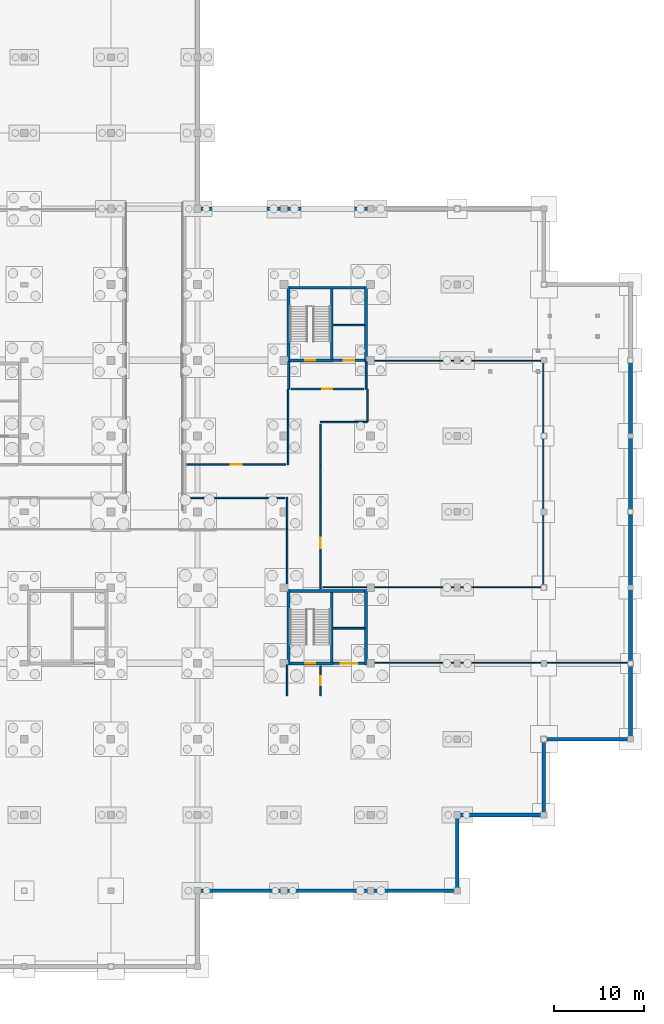
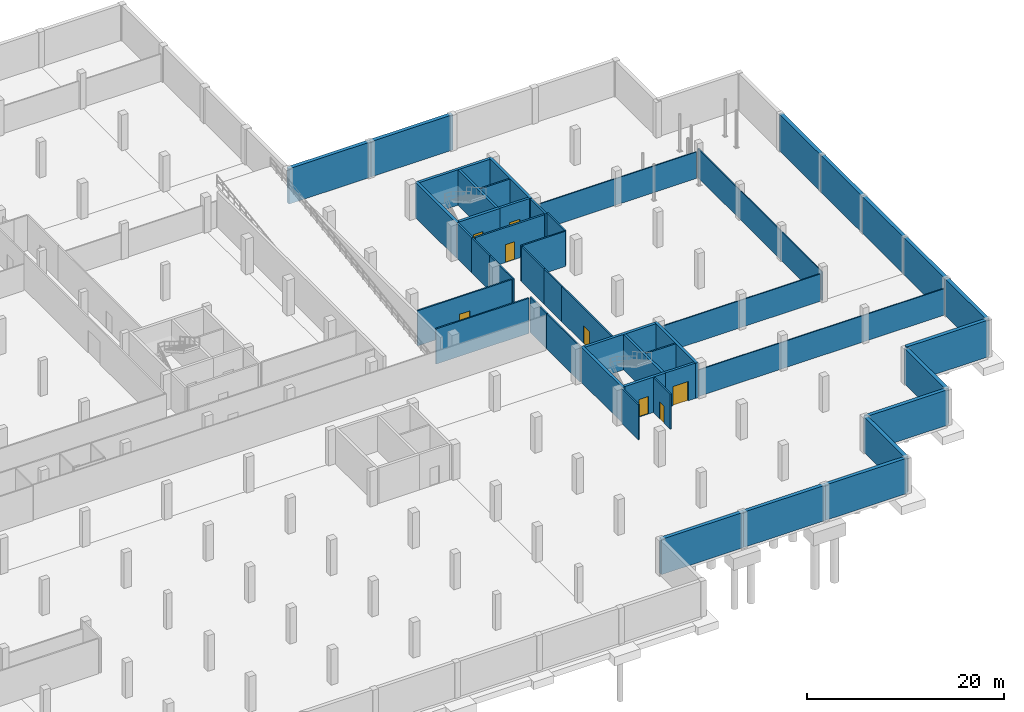
# One storey, part 23 of 26: 48 walls, 8 doors, 8 openings.
"""IFC4 building model written with IfcOpenShell, lengths in metres."""

from ifc_helpers import new_model, si_unit, direction, frame, frame_2d, origin, place, context, subcontext, project, spatial, rectangle, extrude, material, layer, layer_set, type_object, element, fill, save


model = new_model("IFC4")

# Units and contexts
model_context = context("Model", 3, precision=1e-05, world=origin(), true_north=direction((0.0, 1.0)))
body_context = subcontext(model_context, "Body", "Model", "MODEL_VIEW")
ifc_project = project(units=[si_unit("LENGTHUNIT", "METRE"), si_unit("AREAUNIT", "SQUARE_METRE"), si_unit("VOLUMEUNIT", "CUBIC_METRE"), si_unit("PLANEANGLEUNIT", "RADIAN"), si_unit("MASSUNIT", "GRAM", prefix="KILO")], contexts=[model_context])

# Site, building, storey
site_placement = place(None, origin())
site = spatial("IfcSite", under=ifc_project, at=site_placement, CompositionType="ELEMENT")
building_placement = place(site_placement, origin())
building = spatial("IfcBuilding", under=site, at=building_placement, Name="Lornevale Opera House", CompositionType="ELEMENT")
storey_placement = place(building_placement, frame((0.0, 0.0, -9.60009765625)))
storey = spatial("IfcBuildingStorey", under=building, at=storey_placement, Name="B2", CompositionType="ELEMENT", Elevation=-9.60009765625)

# Walls
ifc_material_1 = material(Name="Concrete 40 MPa (CSA A23.1 C-1)", Category="concrete")
ifc_layer_1 = layer(ifc_material_1, 0.419921875)
ifc_layer_set_1 = layer_set([ifc_layer_1], Name="Concrete 40 MPa (CSA A23.1 C-1)")
wall_type_1 = type_object("IfcWallType", Name="Basement Retaining Wall 420", PredefinedType="USERDEFINED", material=ifc_layer_set_1)
for number, where, z_axis, x_axis, name in (
    (1, (134.39990234375, 8.39990234375, 0.0), (0.0, 0.0, 1.0), (-1.0, 0.0, 0.0), "Basement Escarpment Plinth Wall WL-EXT-0046"),
    (2, (124.800048828125, 84.0, 0.0), (0.0, 0.0, 1.0), (1.0, 0.0, 0.0), "Basement Escarpment Plinth Wall WL-EXT-0047"),
):
    element("IfcWall", number, at=place(storey_placement, frame(where, z_axis=z_axis, x_axis=x_axis)), inside=storey, type_object=wall_type_1, Name=name, ObjectType="RETAINING WALL", PredefinedType="USERDEFINED", context=body_context, shape_type="SweptSolid", body=[
        extrude(rectangle(XDim=9.599853515625, YDim=0.419921875, at=frame_2d((4.7998046875, 0.0))), origin(), (0.0, 0.0, 1.0), 4.380126953125),
    ])
for number, where, z_axis, x_axis, name in (
    (3, (144.0, 8.39990234375, 0.0), (0.0, 0.0, 1.0), (-1.0, 0.0, 0.0), "Basement Escarpment Plinth Wall WL-EXT-0048"),
    (4, (134.39990234375, 84.0, 0.0), (0.0, 0.0, 1.0), (1.0, 0.0, 0.0), "Basement Escarpment Plinth Wall WL-EXT-0049"),
    (5, (153.60009765625, 8.39990234375, 0.0), (0.0, 0.0, 1.0), (-1.0, 0.0, 0.0), "Basement Escarpment Plinth Wall WL-EXT-0050"),
):
    element("IfcWall", number, at=place(storey_placement, frame(where, z_axis=z_axis, x_axis=x_axis)), inside=storey, type_object=wall_type_1, Name=name, ObjectType="RETAINING WALL", PredefinedType="USERDEFINED", context=body_context, shape_type="SweptSolid", body=[
        extrude(rectangle(XDim=9.60009765625, YDim=0.419921875, at=frame_2d((4.800048828125, 0.0))), origin(), (0.0, 0.0, 1.0), 4.380126953125),
    ])
wall_1_placement = place(storey_placement, frame((153.60009765625, 16.800048828125, 0.0), z_axis=(0.0, 0.0, 1.0), x_axis=(0.0, -1.0, 0.0)))
element("IfcWall", 6, at=wall_1_placement, inside=storey, type_object=wall_type_1, Name="Basement Escarpment Plinth Wall WL-EXT-0051", ObjectType="RETAINING WALL", PredefinedType="USERDEFINED", context=body_context, shape_type="SweptSolid", body=[
    extrude(rectangle(XDim=8.400146484375, YDim=0.419921875, at=frame_2d((4.2001953125, 0.0))), origin(), (0.0, 0.0, 1.0), 4.380126953125),
])
wall_2_placement = place(storey_placement, frame((163.199951171875, 16.800048828125, 0.0), z_axis=(0.0, 0.0, 1.0), x_axis=(-1.0, 0.0, 0.0)))
element("IfcWall", 7, at=wall_2_placement, inside=storey, type_object=wall_type_1, Name="Basement Escarpment Plinth Wall WL-EXT-0053", ObjectType="RETAINING WALL", PredefinedType="USERDEFINED", context=body_context, shape_type="SweptSolid", body=[
    extrude(rectangle(XDim=9.599853515625, YDim=0.419921875, at=frame_2d((4.7998046875, 0.0))), origin(), (0.0, 0.0, 1.0), 4.380126953125),
])
wall_3_placement = place(storey_placement, frame((163.199951171875, 25.199951171875, 0.0), z_axis=(0.0, 0.0, 1.0), x_axis=(0.0, -1.0, 0.0)))
element("IfcWall", 8, at=wall_3_placement, inside=storey, type_object=wall_type_1, Name="Basement Escarpment Plinth Wall WL-EXT-0054", ObjectType="RETAINING WALL", PredefinedType="USERDEFINED", context=body_context, shape_type="SweptSolid", body=[
    extrude(rectangle(XDim=8.39990234375, YDim=0.419921875, at=frame_2d((4.199951171875, 0.0))), origin(), (0.0, 0.0, 1.0), 4.380126953125),
])
wall_4_placement = place(storey_placement, frame((172.800048828125, 25.199951171875, 0.0), z_axis=(0.0, 0.0, 1.0), x_axis=(-1.0, 0.0, 0.0)))
element("IfcWall", 9, at=wall_4_placement, inside=storey, type_object=wall_type_1, Name="Basement Escarpment Plinth Wall WL-EXT-0057", ObjectType="RETAINING WALL", PredefinedType="USERDEFINED", context=body_context, shape_type="SweptSolid", body=[
    extrude(rectangle(XDim=9.60009765625, YDim=0.419921875, at=frame_2d((4.800048828125, 0.0))), origin(), (0.0, 0.0, 1.0), 4.550048828125),
])
wall_5_placement = place(storey_placement, frame((172.800048828125, 33.60009765625, 0.0), z_axis=(0.0, 0.0, 1.0), x_axis=(0.0, -1.0, 0.0)))
element("IfcWall", 10, at=wall_5_placement, inside=storey, type_object=wall_type_1, Name="Basement Escarpment Plinth Wall WL-EXT-0058", ObjectType="RETAINING WALL", PredefinedType="USERDEFINED", context=body_context, shape_type="SweptSolid", body=[
    extrude(rectangle(XDim=8.400146484375, YDim=0.419921875, at=frame_2d((4.2001953125, 0.0))), origin(), (0.0, 0.0, 1.0), 4.550048828125),
])
for number, where, z_axis, x_axis, name in (
    (11, (172.800048828125, 42.0, 0.0), (0.0, 0.0, 1.0), (0.0, -1.0, 0.0), "Basement Escarpment Plinth Wall WL-EXT-0059"),
    (12, (172.800048828125, 50.39990234375, 0.0), (0.0, 0.0, 1.0), (0.0, -1.0, 0.0), "Basement Escarpment Plinth Wall WL-EXT-0060"),
):
    element("IfcWall", number, at=place(storey_placement, frame(where, z_axis=z_axis, x_axis=x_axis)), inside=storey, type_object=wall_type_1, Name=name, ObjectType="RETAINING WALL", PredefinedType="USERDEFINED", context=body_context, shape_type="SweptSolid", body=[
        extrude(rectangle(XDim=8.39990234375, YDim=0.419921875, at=frame_2d((4.199951171875, 0.0))), origin(), (0.0, 0.0, 1.0), 4.550048828125),
    ])
wall_6_placement = place(storey_placement, frame((172.800048828125, 58.800048828125, 0.0), z_axis=(0.0, 0.0, 1.0), x_axis=(0.0, -1.0, 0.0)))
element("IfcWall", 13, at=wall_6_placement, inside=storey, type_object=wall_type_1, Name="Basement Escarpment Plinth Wall WL-EXT-0061", ObjectType="RETAINING WALL", PredefinedType="USERDEFINED", context=body_context, shape_type="SweptSolid", body=[
    extrude(rectangle(XDim=8.400146484375, YDim=0.419921875, at=frame_2d((4.2001953125, 0.0))), origin(), (0.0, 0.0, 1.0), 4.550048828125),
])
wall_7_placement = place(storey_placement, frame((172.800048828125, 67.199951171875, 0.0), z_axis=(0.0, 0.0, 1.0), x_axis=(0.0, -1.0, 0.0)))
element("IfcWall", 14, at=wall_7_placement, inside=storey, type_object=wall_type_1, Name="Basement Escarpment Plinth Wall WL-EXT-0062", ObjectType="RETAINING WALL", PredefinedType="USERDEFINED", context=body_context, shape_type="SweptSolid", body=[
    extrude(rectangle(XDim=8.39990234375, YDim=0.419921875, at=frame_2d((4.199951171875, 0.0))), origin(), (0.0, 0.0, 1.0), 4.550048828125),
])

# Wall, opening, door
ifc_layer_2 = layer(ifc_material_1, 0.320068359375)
ifc_layer_set_2 = layer_set([ifc_layer_2], Name="Concrete 40 MPa (CSA A23.1 C-1)")
wall_type_2 = type_object("IfcWallType", Name="Core Shear Wall 320", PredefinedType="SHEAR", material=ifc_layer_set_2)
wall_8_placement = place(storey_placement, frame((135.06005859375, 67.199951171875, 0.0), z_axis=(0.0, 0.0, 1.0), x_axis=(1.0, 0.0, 0.0)))
wall_8 = element("IfcWall", 15, at=wall_8_placement, inside=storey, type_object=wall_type_2, Name="Backstage Firefighter Core East Core Shear Wall 320 WL-COR-0261", PredefinedType="SHEAR", context=body_context, shape_type="SweptSolid", body=[
    extrude(rectangle(XDim=4.780029296875, YDim=0.320068359375, at=frame_2d((2.39013671875, 0.0))), origin(), (0.0, 0.0, 1.0), 4.380126953125),
])
opening_1_placement = place(wall_8_placement, frame((1.68994140625, 0.0, 0.0)))
opening_1 = element("IfcOpeningElement", 16, at=opening_1_placement, cuts=wall_8, Name="Opening DR-T10", PredefinedType="OPENING", context=body_context, shape_type="SweptSolid", body=[
    extrude(rectangle(XDim=1.10009765625, YDim=2.199951171875, at=frame_2d((0.550048828125, 1.10009765625))), frame((0.0, 0.169921875, 0.0), z_axis=(0.0, -1.0, 0.0), x_axis=(1.0, 0.0, 0.0)), (0.0, 0.0, 1.0), 0.340087890625),
])
ifc_material_2 = material(Name="Painted Hollow Metal Door Steel", Category="steel")
ifc_layer_3 = layer(ifc_material_2, 2.199951171875)
ifc_layer_set_3 = layer_set([ifc_layer_3], Name="Painted Hollow Metal Door Steel")
door_type_1 = type_object("IfcDoorType", Name="Protected Exit Stair Door L 1100x2200", OperationType="NOTDEFINED", PredefinedType="DOOR", material=ifc_layer_set_3)
door_1_placement = place(opening_1_placement, origin())
door_1 = element("IfcDoor", 17, at=door_1_placement, inside=storey, type_object=door_type_1, Name="C7 Stair Door B2", OperationType="SINGLE_SWING_LEFT", OverallHeight=2.199951171875, OverallWidth=1.10009765625, PredefinedType="DOOR", context=body_context, shape_type="SweptSolid", body=[
    extrude(rectangle(XDim=1.10009765625, YDim=2.199951171875, at=frame_2d((0.550048828125, 1.10009765625))), frame((0.0, 0.02490234375, 0.0), z_axis=(0.0, -1.0, 0.0), x_axis=(1.0, 0.0, 0.0)), (0.0, 0.0, 1.0), 0.050048828125),
])
fill(opening_1, door_1)

# Walls
wall_9_placement = place(storey_placement, frame((143.340087890625, 75.239990234375, 0.0), z_axis=(0.0, 0.0, 1.0), x_axis=(-1.0, 0.0, 0.0)))
element("IfcWall", 18, at=wall_9_placement, inside=storey, type_object=wall_type_2, Name="Backstage Firefighter Core East Core Shear Wall 320 WL-COR-0263", PredefinedType="SHEAR", context=body_context, shape_type="SweptSolid", body=[
    extrude(rectangle(XDim=8.280029296875, YDim=0.320068359375, at=frame_2d((4.14013671875, 0.0))), origin(), (0.0, 0.0, 1.0), 4.380126953125),
])
for number, where, z_axis, x_axis, name in (
    (19, (134.89990234375, 75.39990234375, 0.0), (0.0, 0.0, 1.0), (0.0, -1.0, 0.0), "Backstage Firefighter Core East Core Shear Wall 320 WL-COR-0264"),
    (20, (143.5, 67.0400390625, 0.0), (0.0, 0.0, 1.0), (0.0, 1.0, 0.0), "Backstage Firefighter Core East Core Shear Wall 320 WL-COR-0265"),
):
    element("IfcWall", number, at=place(storey_placement, frame(where, z_axis=z_axis, x_axis=x_axis)), inside=storey, type_object=wall_type_2, Name=name, PredefinedType="SHEAR", context=body_context, shape_type="SweptSolid", body=[
        extrude(rectangle(XDim=8.35986328125, YDim=0.320068359375, at=frame_2d((4.179931640625, 0.0))), origin(), (0.0, 0.0, 1.0), 4.380126953125),
    ])

# Wall, opening, door
wall_10_placement = place(storey_placement, frame((135.06005859375, 33.60009765625, 0.0), z_axis=(0.0, 0.0, 1.0), x_axis=(1.0, 0.0, 0.0)))
wall_10 = element("IfcWall", 21, at=wall_10_placement, inside=storey, type_object=wall_type_2, Name="Backstage Service Lift Core Core Shear Wall 320 WL-COR-0317", PredefinedType="SHEAR", context=body_context, shape_type="SweptSolid", body=[
    extrude(rectangle(XDim=4.780029296875, YDim=0.320068359375, at=frame_2d((2.39013671875, 0.0))), origin(), (0.0, 0.0, 1.0), 4.380126953125),
])
opening_2_placement = place(wall_10_placement, frame((1.68994140625, 0.0, 0.0)))
opening_2 = element("IfcOpeningElement", 22, at=opening_2_placement, cuts=wall_10, Name="Opening DR-T11", PredefinedType="OPENING", context=body_context, shape_type="SweptSolid", body=[
    extrude(rectangle(XDim=1.10009765625, YDim=2.199951171875, at=frame_2d((0.550048828125, 1.10009765625))), frame((0.0, 0.169921875, 0.0), z_axis=(0.0, -1.0, 0.0), x_axis=(1.0, 0.0, 0.0)), (0.0, 0.0, 1.0), 0.340087890625),
])
ifc_layer_4 = layer(ifc_material_2, 2.199951171875)
ifc_layer_set_4 = layer_set([ifc_layer_4], Name="Painted Hollow Metal Door Steel")
door_type_2 = type_object("IfcDoorType", Name="Protected Exit Stair Door R 1100x2200", OperationType="NOTDEFINED", PredefinedType="DOOR", material=ifc_layer_set_4)
door_2_placement = place(opening_2_placement, origin())
door_2 = element("IfcDoor", 23, at=door_2_placement, inside=storey, type_object=door_type_2, Name="C8 Stair Door B2", OperationType="SINGLE_SWING_RIGHT", OverallHeight=2.199951171875, OverallWidth=1.10009765625, PredefinedType="DOOR", context=body_context, shape_type="SweptSolid", body=[
    extrude(rectangle(XDim=1.10009765625, YDim=2.199951171875, at=frame_2d((0.550048828125, 1.10009765625))), frame((0.0, 0.02490234375, 0.0), z_axis=(0.0, -1.0, 0.0), x_axis=(1.0, 0.0, 0.0)), (0.0, 0.0, 1.0), 0.050048828125),
])
fill(opening_2, door_2)

# Walls
wall_11_placement = place(storey_placement, frame((143.340087890625, 41.639892578125, 0.0), z_axis=(0.0, 0.0, 1.0), x_axis=(-1.0, 0.0, 0.0)))
element("IfcWall", 24, at=wall_11_placement, inside=storey, type_object=wall_type_2, Name="Backstage Service Lift Core Core Shear Wall 320 WL-COR-0319", PredefinedType="SHEAR", context=body_context, shape_type="SweptSolid", body=[
    extrude(rectangle(XDim=8.280029296875, YDim=0.320068359375, at=frame_2d((4.14013671875, 0.0))), origin(), (0.0, 0.0, 1.0), 4.380126953125),
])
for number, where, z_axis, x_axis, name in (
    (25, (134.89990234375, 41.800048828125, 0.0), (0.0, 0.0, 1.0), (0.0, -1.0, 0.0), "Backstage Service Lift Core Core Shear Wall 320 WL-COR-0320"),
    (26, (143.5, 33.43994140625, 0.0), (0.0, 0.0, 1.0), (0.0, 1.0, 0.0), "Backstage Service Lift Core Core Shear Wall 320 WL-COR-0321"),
):
    element("IfcWall", number, at=place(storey_placement, frame(where, z_axis=z_axis, x_axis=x_axis)), inside=storey, type_object=wall_type_2, Name=name, PredefinedType="SHEAR", context=body_context, shape_type="SweptSolid", body=[
        extrude(rectangle(XDim=8.360107421875, YDim=0.320068359375, at=frame_2d((4.18017578125, 0.0))), origin(), (0.0, 0.0, 1.0), 4.380126953125),
    ])
ifc_material_3 = material(Name="Acoustic Mineral-Core Gypsum Partition", Category="gypsum")
ifc_layer_5 = layer(ifc_material_3, 0.1650390625)
ifc_layer_set_5 = layer_set([ifc_layer_5], Name="Acoustic Mineral-Core Gypsum Partition")
wall_type_3 = type_object("IfcWallType", Name="Corridor Rated Partition 165", PredefinedType="PARTITIONING", material=ifc_layer_set_5)
wall_12_placement = place(storey_placement, frame((143.659912109375, 60.39990234375, 0.0), z_axis=(0.0, 0.0, 1.0), x_axis=(0.0, 1.0, 0.0)))
element("IfcWall", 27, at=wall_12_placement, inside=storey, type_object=wall_type_3, Name="B2 Partition WL-INT-0545", PredefinedType="PARTITIONING", context=body_context, shape_type="SweptSolid", body=[
    extrude(rectangle(XDim=3.60009765625, YDim=0.1650390625, at=frame_2d((1.800048828125, 0.0))), origin(), (0.0, 0.0, 1.0), 4.35009765625),
])
wall_13_placement = place(storey_placement, frame((138.39990234375, 60.340087890625, 0.0), z_axis=(0.0, 0.0, 1.0), x_axis=(1.0, 0.0, 0.0)))
element("IfcWall", 28, at=wall_13_placement, inside=storey, type_object=wall_type_3, Name="B2 Partition WL-INT-0546", PredefinedType="PARTITIONING", context=body_context, shape_type="SweptSolid", body=[
    extrude(rectangle(XDim=5.2001953125, YDim=0.1650390625, at=frame_2d((2.60009765625, 0.0))), origin(), (0.0, 0.0, 1.0), 4.35009765625),
])
wall_14_placement = place(storey_placement, frame((138.4599609375, 55.60009765625, 0.0), z_axis=(0.0, 0.0, 1.0), x_axis=(0.0, 1.0, 0.0)))
element("IfcWall", 29, at=wall_14_placement, inside=storey, type_object=wall_type_3, Name="B2 Partition WL-INT-0547", PredefinedType="PARTITIONING", context=body_context, shape_type="SweptSolid", body=[
    extrude(rectangle(XDim=4.489990234375, YDim=0.1650390625, at=frame_2d((2.2451171875, 0.0))), origin(), (0.0, 0.0, 1.0), 4.35009765625),
])
wall_15_placement = place(storey_placement, frame((138.4599609375, 52.0, 0.0), z_axis=(0.0, 0.0, 1.0), x_axis=(0.0, 1.0, 0.0)))
element("IfcWall", 30, at=wall_15_placement, inside=storey, type_object=wall_type_3, Name="B2 Partition WL-INT-0548", PredefinedType="PARTITIONING", context=body_context, shape_type="SweptSolid", body=[
    extrude(rectangle(XDim=3.60009765625, YDim=0.1650390625, at=frame_2d((1.800048828125, 0.0))), origin(), (0.0, 0.0, 1.0), 4.35009765625),
])

# Wall, opening, door
wall_16_placement = place(storey_placement, frame((138.4599609375, 41.889892578125, 0.0), z_axis=(0.0, 0.0, 1.0), x_axis=(0.0, 1.0, 0.0)))
wall_16 = element("IfcWall", 31, at=wall_16_placement, inside=storey, type_object=wall_type_3, Name="B2 Partition WL-INT-0549", PredefinedType="PARTITIONING", context=body_context, shape_type="SweptSolid", body=[
    extrude(rectangle(XDim=10.110107421875, YDim=0.1650390625, at=frame_2d((5.05517578125, 0.0))), origin(), (0.0, 0.0, 1.0), 4.35009765625),
])
opening_3_placement = place(wall_16_placement, frame((4.455078125, 0.0, 0.0)))
opening_3 = element("IfcOpeningElement", 32, at=opening_3_placement, cuts=wall_16, Name="Opening DR-T24", PredefinedType="OPENING", context=body_context, shape_type="SweptSolid", body=[
    extrude(rectangle(XDim=1.199951171875, YDim=2.199951171875, at=frame_2d((0.60009765625, 1.10009765625))), frame((0.0, 0.092529296875, 0.0), z_axis=(0.0, -1.0, 0.0), x_axis=(1.0, 0.0, 0.0)), (0.0, 0.0, 1.0), 0.18505859375),
])
ifc_layer_6 = layer(ifc_material_2, 2.199951171875)
ifc_layer_set_6 = layer_set([ifc_layer_6], Name="Painted Hollow Metal Door Steel")
door_type_3 = type_object("IfcDoorType", Name="Plant Room Rated Door R 1200x2200", OperationType="NOTDEFINED", PredefinedType="DOOR", material=ifc_layer_set_6)
door_3_placement = place(opening_3_placement, origin())
door_3 = element("IfcDoor", 33, at=door_3_placement, inside=storey, type_object=door_type_3, Name="Stormwater Cistern & Fire-Pump Plant Door", OperationType="SINGLE_SWING_RIGHT", OverallHeight=2.199951171875, OverallWidth=1.199951171875, PredefinedType="DOOR", context=body_context, shape_type="SweptSolid", body=[
    extrude(rectangle(XDim=1.199951171875, YDim=2.199951171875, at=frame_2d((0.60009765625, 1.10009765625))), frame((0.0, 0.02490234375, 0.0), z_axis=(0.0, -1.0, 0.0), x_axis=(1.0, 0.0, 0.0)), (0.0, 0.0, 1.0), 0.050048828125),
])
fill(opening_3, door_3)

# Walls
wall_17_placement = place(storey_placement, frame((134.739990234375, 30.0, 0.0), z_axis=(0.0, 0.0, 1.0), x_axis=(0.0, 1.0, 0.0)))
element("IfcWall", 34, at=wall_17_placement, inside=storey, type_object=wall_type_3, Name="B2 Partition WL-INT-0550", PredefinedType="PARTITIONING", context=body_context, shape_type="SweptSolid", body=[
    extrude(rectangle(XDim=3.43994140625, YDim=0.1650390625, at=frame_2d((1.719970703125, 0.0))), origin(), (0.0, 0.0, 1.0), 4.35009765625),
])
wall_18_placement = place(storey_placement, frame((134.739990234375, 41.800048828125, 0.0), z_axis=(0.0, 0.0, 1.0), x_axis=(0.0, 1.0, 0.0)))
element("IfcWall", 35, at=wall_18_placement, inside=storey, type_object=wall_type_3, Name="B2 Partition WL-INT-0551", PredefinedType="PARTITIONING", context=body_context, shape_type="SweptSolid", body=[
    extrude(rectangle(XDim=6.800048828125, YDim=0.1650390625, at=frame_2d((3.39990234375, 0.0))), origin(), (0.0, 0.0, 1.0), 4.35009765625),
])

# Wall, opening, door
wall_19_placement = place(storey_placement, frame((138.4599609375, 30.0, 0.0), z_axis=(0.0, 0.0, 1.0), x_axis=(0.0, 1.0, 0.0)))
wall_19 = element("IfcWall", 36, at=wall_19_placement, inside=storey, type_object=wall_type_3, Name="B2 Partition WL-INT-0552", PredefinedType="PARTITIONING", context=body_context, shape_type="SweptSolid", body=[
    extrude(rectangle(XDim=3.35009765625, YDim=0.1650390625, at=frame_2d((1.675048828125, 0.0))), origin(), (0.0, 0.0, 1.0), 4.35009765625),
])
opening_4_placement = place(wall_19_placement, frame((1.199951171875, 0.0, 0.0)))
opening_4 = element("IfcOpeningElement", 37, at=opening_4_placement, cuts=wall_19, Name="Opening DR-T19", PredefinedType="OPENING", context=body_context, shape_type="SweptSolid", body=[
    extrude(rectangle(XDim=0.949951171875, YDim=2.14990234375, at=frame_2d((0.47509765625, 1.074951171875))), frame((0.0, 0.092529296875, 0.0), z_axis=(0.0, -1.0, 0.0), x_axis=(1.0, 0.0, 0.0)), (0.0, 0.0, 1.0), 0.18505859375),
])
ifc_material_4 = material(Name="White Oak Acoustic Panelling", Category="wood")
ifc_layer_7 = layer(ifc_material_4, 2.14990234375)
ifc_layer_set_7 = layer_set([ifc_layer_7], Name="White Oak Acoustic Panelling")
door_type_4 = type_object("IfcDoorType", Name="Soloist Dressing Door L 950x2150", OperationType="NOTDEFINED", PredefinedType="DOOR", material=ifc_layer_set_7)
door_4_placement = place(opening_4_placement, origin())
door_4 = element("IfcDoor", 38, at=door_4_placement, inside=storey, type_object=door_type_4, Name="East Basement Bicycle & Staff Store Door", OperationType="SINGLE_SWING_LEFT", OverallHeight=2.14990234375, OverallWidth=0.949951171875, PredefinedType="DOOR", context=body_context, shape_type="SweptSolid", body=[
    extrude(rectangle(XDim=0.949951171875, YDim=2.14990234375, at=frame_2d((0.47509765625, 1.074951171875))), frame((0.0, 0.02490234375, 0.0), z_axis=(0.0, -1.0, 0.0), x_axis=(1.0, 0.0, 0.0)), (0.0, 0.0, 1.0), 0.050048828125),
])
fill(opening_4, door_4)

# Walls
wall_20_placement = place(storey_placement, frame((134.860107421875, 55.60009765625, 0.0), z_axis=(0.0, 0.0, 1.0), x_axis=(0.0, 1.0, 0.0)))
element("IfcWall", 39, at=wall_20_placement, inside=storey, type_object=wall_type_3, Name="B2 Partition WL-INT-0553", PredefinedType="PARTITIONING", context=body_context, shape_type="SweptSolid", body=[
    extrude(rectangle(XDim=4.7998046875, YDim=0.1650390625, at=frame_2d((2.39990234375, 0.0))), origin(), (0.0, 0.0, 1.0), 4.35009765625),
])
wall_21_placement = place(storey_placement, frame((134.860107421875, 60.39990234375, 0.0), z_axis=(0.0, 0.0, 1.0), x_axis=(0.0, 1.0, 0.0)))
element("IfcWall", 40, at=wall_21_placement, inside=storey, type_object=wall_type_3, Name="B2 Partition WL-INT-0554", PredefinedType="PARTITIONING", context=body_context, shape_type="SweptSolid", body=[
    extrude(rectangle(XDim=3.60009765625, YDim=0.1650390625, at=frame_2d((1.800048828125, 0.0))), origin(), (0.0, 0.0, 1.0), 4.35009765625),
])

# Wall, opening, door
wall_22_placement = place(storey_placement, frame((123.60009765625, 55.659912109375, 0.0), z_axis=(0.0, 0.0, 1.0), x_axis=(1.0, 0.0, 0.0)))
wall_22 = element("IfcWall", 41, at=wall_22_placement, inside=storey, type_object=wall_type_3, Name="B2 Partition WL-INT-0555", PredefinedType="PARTITIONING", context=body_context, shape_type="SweptSolid", body=[
    extrude(rectangle(XDim=11.010009765625, YDim=0.1650390625, at=frame_2d((5.5048828125, 0.0))), origin(), (0.0, 0.0, 1.0), 4.35009765625),
])
opening_5_placement = place(wall_22_placement, frame((4.905029296875, 0.0, 0.0)))
opening_5 = element("IfcOpeningElement", 42, at=opening_5_placement, cuts=wall_22, Name="Opening DR-T24", PredefinedType="OPENING", context=body_context, shape_type="SweptSolid", body=[
    extrude(rectangle(XDim=1.199951171875, YDim=2.199951171875, at=frame_2d((0.60009765625, 1.10009765625))), frame((0.0, 0.092529296875, 0.0), z_axis=(0.0, -1.0, 0.0), x_axis=(1.0, 0.0, 0.0)), (0.0, 0.0, 1.0), 0.18505859375),
])
door_5_placement = place(opening_5_placement, origin())
door_5 = element("IfcDoor", 43, at=door_5_placement, inside=storey, type_object=door_type_3, Name="Mechanical Acoustic Plenum Plant Door", OperationType="SINGLE_SWING_RIGHT", OverallHeight=2.199951171875, OverallWidth=1.199951171875, PredefinedType="DOOR", context=body_context, shape_type="SweptSolid", body=[
    extrude(rectangle(XDim=1.199951171875, YDim=2.199951171875, at=frame_2d((0.60009765625, 1.10009765625))), frame((0.0, 0.02490234375, 0.0), z_axis=(0.0, -1.0, 0.0), x_axis=(1.0, 0.0, 0.0)), (0.0, 0.0, 1.0), 0.050048828125),
])
fill(opening_5, door_5)

# Walls
wall_23_placement = place(storey_placement, frame((134.739990234375, 48.60009765625, 0.0), z_axis=(0.0, 0.0, 1.0), x_axis=(0.0, 1.0, 0.0)))
element("IfcWall", 44, at=wall_23_placement, inside=storey, type_object=wall_type_3, Name="B2 Partition WL-INT-0556", PredefinedType="PARTITIONING", context=body_context, shape_type="SweptSolid", body=[
    extrude(rectangle(XDim=3.39990234375, YDim=0.1650390625, at=frame_2d((1.699951171875, 0.0))), origin(), (0.0, 0.0, 1.0), 4.35009765625),
])
wall_24_placement = place(storey_placement, frame((123.60009765625, 51.93994140625, 0.0), z_axis=(0.0, 0.0, 1.0), x_axis=(1.0, 0.0, 0.0)))
element("IfcWall", 45, at=wall_24_placement, inside=storey, type_object=wall_type_3, Name="B2 Partition WL-INT-0557", PredefinedType="PARTITIONING", context=body_context, shape_type="SweptSolid", body=[
    extrude(rectangle(XDim=10.889892578125, YDim=0.1650390625, at=frame_2d((5.44482421875, 0.0))), origin(), (0.0, 0.0, 1.0), 4.35009765625),
])
ifc_layer_8 = layer(ifc_material_3, 0.125)
ifc_layer_set_8 = layer_set([ifc_layer_8], Name="Acoustic Mineral-Core Gypsum Partition")
wall_type_4 = type_object("IfcWallType", Name="Dressing Suite Partition 125", PredefinedType="PARTITIONING", material=ifc_layer_set_8)
wall_25_placement = place(storey_placement, frame((163.139892578125, 42.0, 0.0), z_axis=(0.0, 0.0, 1.0), x_axis=(0.0, 1.0, 0.0)))
element("IfcWall", 46, at=wall_25_placement, inside=storey, type_object=wall_type_4, Name="B2 Partition WL-INT-0566", PredefinedType="PARTITIONING", context=body_context, shape_type="SweptSolid", body=[
    extrude(rectangle(XDim=25.199951171875, YDim=0.125, at=frame_2d((12.60009765625, 0.0))), origin(), (0.0, 0.0, 1.0), 3.580078125),
])
wall_26_placement = place(storey_placement, frame((138.7099609375, 42.06005859375, 0.0), z_axis=(0.0, 0.0, 1.0), x_axis=(1.0, 0.0, 0.0)))
element("IfcWall", 47, at=wall_26_placement, inside=storey, type_object=wall_type_4, Name="B2 Partition WL-INT-0567", PredefinedType="PARTITIONING", context=body_context, shape_type="SweptSolid", body=[
    extrude(rectangle(XDim=24.179931640625, YDim=0.125, at=frame_2d((12.08984375, 0.0))), origin(), (0.0, 0.0, 1.0), 3.380126953125),
])
wall_27_placement = place(storey_placement, frame((143.75, 67.139892578125, 0.0), z_axis=(0.0, 0.0, 1.0), x_axis=(1.0, 0.0, 0.0)))
element("IfcWall", 48, at=wall_27_placement, inside=storey, type_object=wall_type_4, Name="B2 Partition WL-INT-0568", PredefinedType="PARTITIONING", context=body_context, shape_type="SweptSolid", body=[
    extrude(rectangle(XDim=19.139892578125, YDim=0.125, at=frame_2d((9.56982421875, 0.0))), origin(), (0.0, 0.0, 1.0), 3.280029296875),
])
wall_28_placement = place(storey_placement, frame((143.75, 33.659912109375, 0.0), z_axis=(0.0, 0.0, 1.0), x_axis=(1.0, 0.0, 0.0)))
element("IfcWall", 49, at=wall_28_placement, inside=storey, type_object=wall_type_4, Name="B2 Partition WL-INT-0572", PredefinedType="PARTITIONING", context=body_context, shape_type="SweptSolid", body=[
    extrude(rectangle(XDim=28.800048828125, YDim=0.125, at=frame_2d((14.39990234375, 0.0))), origin(), (0.0, 0.0, 1.0), 3.280029296875),
])

# Wall, opening, door
ifc_layer_9 = layer(ifc_material_1, 0.280029296875)
ifc_layer_set_9 = layer_set([ifc_layer_9], Name="Concrete 40 MPa (CSA A23.1 C-1)")
wall_type_5 = type_object("IfcWallType", Name="Elevator Shaft Wall 280", PredefinedType="SHEAR", material=ifc_layer_set_9)
wall_29_placement = place(storey_placement, frame((139.840087890625, 67.199951171875, 0.0), z_axis=(0.0, 0.0, 1.0), x_axis=(1.0, 0.0, 0.0)))
wall_29 = element("IfcWall", 50, at=wall_29_placement, inside=storey, type_object=wall_type_5, Name="Backstage Firefighter Core East Elevator Shaft Wall 280 WL-COR-0262", PredefinedType="SHEAR", context=body_context, shape_type="SweptSolid", body=[
    extrude(rectangle(XDim=3.5, YDim=0.280029296875, at=frame_2d((1.75, 0.0))), origin(), (0.0, 0.0, 1.0), 4.380126953125),
])
opening_6_placement = place(wall_29_placement, frame((1.159912109375, 0.0, 0.0)))
opening_6 = element("IfcOpeningElement", 51, at=opening_6_placement, cuts=wall_29, Name="Opening DR-T26", PredefinedType="OPENING", context=body_context, shape_type="SweptSolid", body=[
    extrude(rectangle(XDim=1.199951171875, YDim=2.199951171875, at=frame_2d((0.60009765625, 1.10009765625))), frame((0.0, 0.14990234375, 0.0), z_axis=(0.0, -1.0, 0.0), x_axis=(1.0, 0.0, 0.0)), (0.0, 0.0, 1.0), 0.300048828125),
])
ifc_layer_10 = layer(ifc_material_2, 2.199951171875)
ifc_layer_set_10 = layer_set([ifc_layer_10], Name="Painted Hollow Metal Door Steel")
door_type_5 = type_object("IfcDoorType", Name="Firefighter Lift Landing Door 1200x2200", OperationType="NOTDEFINED", PredefinedType="DOOR", material=ifc_layer_set_10)
door_6_placement = place(opening_6_placement, origin())
door_6 = element("IfcDoor", 52, at=door_6_placement, inside=storey, type_object=door_type_5, Name="L-FF2 Landing Door B2", OperationType="SLIDING_TO_RIGHT", OverallHeight=2.199951171875, OverallWidth=1.199951171875, PredefinedType="DOOR", context=body_context, shape_type="SweptSolid", body=[
    extrude(rectangle(XDim=1.199951171875, YDim=2.199951171875, at=frame_2d((0.60009765625, 1.10009765625))), frame((0.0, 0.02490234375, 0.0), z_axis=(0.0, -1.0, 0.0), x_axis=(1.0, 0.0, 0.0)), (0.0, 0.0, 1.0), 0.050048828125),
])
fill(opening_6, door_6)

# Wall
wall_30_placement = place(storey_placement, frame((139.699951171875, 67.360107421875, 0.0), z_axis=(0.0, 0.0, 1.0), x_axis=(0.0, 1.0, 0.0)))
element("IfcWall", 53, at=wall_30_placement, inside=storey, type_object=wall_type_5, Name="Backstage Firefighter Core East Elevator Shaft Wall 280 WL-COR-0266", PredefinedType="SHEAR", context=body_context, shape_type="SweptSolid", body=[
    extrude(rectangle(XDim=7.719970703125, YDim=0.280029296875, at=frame_2d((3.85986328125, 0.0))), origin(), (0.0, 0.0, 1.0), 4.380126953125),
])

# Wall, opening, door
wall_31_placement = place(storey_placement, frame((139.840087890625, 33.60009765625, 0.0), z_axis=(0.0, 0.0, 1.0), x_axis=(1.0, 0.0, 0.0)))
wall_31 = element("IfcWall", 54, at=wall_31_placement, inside=storey, type_object=wall_type_5, Name="Backstage Service Lift Core Elevator Shaft Wall 280 WL-COR-0318", PredefinedType="SHEAR", context=body_context, shape_type="SweptSolid", body=[
    extrude(rectangle(XDim=3.5, YDim=0.280029296875, at=frame_2d((1.75, 0.0))), origin(), (0.0, 0.0, 1.0), 4.380126953125),
])
opening_7_placement = place(wall_31_placement, frame((0.860107421875, 0.0, 0.0)))
opening_7 = element("IfcOpeningElement", 55, at=opening_7_placement, cuts=wall_31, Name="Opening DR-T27", PredefinedType="OPENING", context=body_context, shape_type="SweptSolid", body=[
    extrude(rectangle(XDim=1.800048828125, YDim=2.39990234375, at=frame_2d((0.89990234375, 1.199951171875))), frame((0.0, 0.14990234375, 0.0), z_axis=(0.0, -1.0, 0.0), x_axis=(1.0, 0.0, 0.0)), (0.0, 0.0, 1.0), 0.300048828125),
])
ifc_layer_11 = layer(ifc_material_2, 2.39990234375)
ifc_layer_set_11 = layer_set([ifc_layer_11], Name="Painted Hollow Metal Door Steel")
door_type_6 = type_object("IfcDoorType", Name="Freight Lift Landing Door 1800x2400", OperationType="NOTDEFINED", PredefinedType="DOOR", material=ifc_layer_set_11)
door_7_placement = place(opening_7_placement, origin())
door_7 = element("IfcDoor", 56, at=door_7_placement, inside=storey, type_object=door_type_6, Name="L-B2 Landing Door B2", OperationType="SLIDING_TO_LEFT", OverallHeight=2.39990234375, OverallWidth=1.800048828125, PredefinedType="DOOR", context=body_context, shape_type="SweptSolid", body=[
    extrude(rectangle(XDim=1.800048828125, YDim=2.39990234375, at=frame_2d((0.89990234375, 1.199951171875))), frame((0.0, 0.02490234375, 0.0), z_axis=(0.0, -1.0, 0.0), x_axis=(1.0, 0.0, 0.0)), (0.0, 0.0, 1.0), 0.050048828125),
])
fill(opening_7, door_7)

# Walls
wall_32_placement = place(storey_placement, frame((139.699951171875, 33.760009765625, 0.0), z_axis=(0.0, 0.0, 1.0), x_axis=(0.0, 1.0, 0.0)))
element("IfcWall", 57, at=wall_32_placement, inside=storey, type_object=wall_type_5, Name="Backstage Service Lift Core Elevator Shaft Wall 280 WL-COR-0322", PredefinedType="SHEAR", context=body_context, shape_type="SweptSolid", body=[
    extrude(rectangle(XDim=7.719970703125, YDim=0.280029296875, at=frame_2d((3.85986328125, 0.0))), origin(), (0.0, 0.0, 1.0), 4.380126953125),
])
ifc_material_5 = material(Name="Concrete 35 MPa (CSA A23.1 N)", Category="concrete")
ifc_layer_12 = layer(ifc_material_5, 0.219970703125)
ifc_layer_set_12 = layer_set([ifc_layer_12], Name="Concrete 35 MPa (CSA A23.1 N)")
wall_type_6 = type_object("IfcWallType", Name="Firefighter Vestibule Wall 220", PredefinedType="SOLIDWALL", material=ifc_layer_set_12)
for number, where, z_axis, x_axis, name in (
    (58, (134.89990234375, 64.0, 0.0), (0.0, 0.0, 1.0), (0.0, 1.0, 0.0), "C7 Vestibule West Wall WL-INT-0379"),
    (59, (143.5, 64.0, 0.0), (0.0, 0.0, 1.0), (0.0, 1.0, 0.0), "C7 Vestibule East Wall WL-INT-0380"),
):
    element("IfcWall", number, at=place(storey_placement, frame(where, z_axis=z_axis, x_axis=x_axis)), inside=storey, type_object=wall_type_6, Name=name, PredefinedType="SOLIDWALL", context=body_context, shape_type="SweptSolid", body=[
        extrude(rectangle(XDim=3.0400390625, YDim=0.219970703125, at=frame_2d((1.52001953125, 0.0))), origin(), (0.0, 0.0, 1.0), 4.320068359375),
    ])

# Wall, opening, door
wall_33_placement = place(storey_placement, frame((135.14990234375, 64.0, 0.0), z_axis=(0.0, 0.0, 1.0), x_axis=(1.0, 0.0, 0.0)))
wall_33 = element("IfcWall", 60, at=wall_33_placement, inside=storey, type_object=wall_type_6, Name="C7 Vestibule South Wall WL-INT-0381", PredefinedType="SOLIDWALL", context=body_context, shape_type="SweptSolid", body=[
    extrude(rectangle(XDim=8.10009765625, YDim=0.219970703125, at=frame_2d((4.050048828125, 0.0))), origin(), (0.0, 0.0, 1.0), 4.320068359375),
])
opening_8_placement = place(wall_33_placement, frame((3.5, 0.0, 0.0)))
opening_8 = element("IfcOpeningElement", 61, at=opening_8_placement, cuts=wall_33, Name="Opening DR-T13", PredefinedType="OPENING", context=body_context, shape_type="SweptSolid", body=[
    extrude(rectangle(XDim=1.10009765625, YDim=2.199951171875, at=frame_2d((0.550048828125, 1.10009765625))), frame((0.0, 0.119873046875, 0.0), z_axis=(0.0, -1.0, 0.0), x_axis=(1.0, 0.0, 0.0)), (0.0, 0.0, 1.0), 0.239990234375),
])
ifc_layer_13 = layer(ifc_material_2, 2.199951171875)
ifc_layer_set_13 = layer_set([ifc_layer_13], Name="Painted Hollow Metal Door Steel")
door_type_7 = type_object("IfcDoorType", Name="Firefighter Vestibule Door 1100x2200", OperationType="NOTDEFINED", PredefinedType="DOOR", material=ifc_layer_set_13)
door_8_placement = place(opening_8_placement, origin())
door_8 = element("IfcDoor", 62, at=door_8_placement, inside=storey, type_object=door_type_7, Name="C7 Firefighter Vestibule Door B2", OperationType="SINGLE_SWING_LEFT", OverallHeight=2.199951171875, OverallWidth=1.10009765625, PredefinedType="DOOR", context=body_context, shape_type="SweptSolid", body=[
    extrude(rectangle(XDim=1.10009765625, YDim=2.199951171875, at=frame_2d((0.550048828125, 1.10009765625))), frame((0.0, 0.02490234375, 0.0), z_axis=(0.0, -1.0, 0.0), x_axis=(1.0, 0.0, 0.0)), (0.0, 0.0, 1.0), 0.050048828125),
])
fill(opening_8, door_8)

# Walls
ifc_material_6 = material(Name="Moisture-Resistant Ceramic & Gypsum Partition", Category="gypsum")
ifc_layer_14 = layer(ifc_material_6, 0.179931640625)
ifc_layer_set_14 = layer_set([ifc_layer_14], Name="Moisture-Resistant Ceramic & Gypsum Partition")
wall_type_7 = type_object("IfcWallType", Name="Riser Shaft Wall 180", PredefinedType="SOLIDWALL", material=ifc_layer_set_14)
for number, where, z_axis, x_axis, name in (
    (63, (139.840087890625, 71.10009765625, 0.0), (0.0, 0.0, 1.0), (1.0, 0.0, 0.0), "Backstage Firefighter Core East Riser Shaft Wall 180 WL-COR-0267"),
    (64, (139.840087890625, 37.5, 0.0), (0.0, 0.0, 1.0), (1.0, 0.0, 0.0), "Backstage Service Lift Core Riser Shaft Wall 180 WL-COR-0323"),
):
    element("IfcWall", number, at=place(storey_placement, frame(where, z_axis=z_axis, x_axis=x_axis)), inside=storey, type_object=wall_type_7, Name=name, PredefinedType="SOLIDWALL", context=body_context, shape_type="SweptSolid", body=[
        extrude(rectangle(XDim=3.5, YDim=0.179931640625, at=frame_2d((1.75, 0.0))), origin(), (0.0, 0.0, 1.0), 4.380126953125),
    ])

save(model, "model.ifc")
